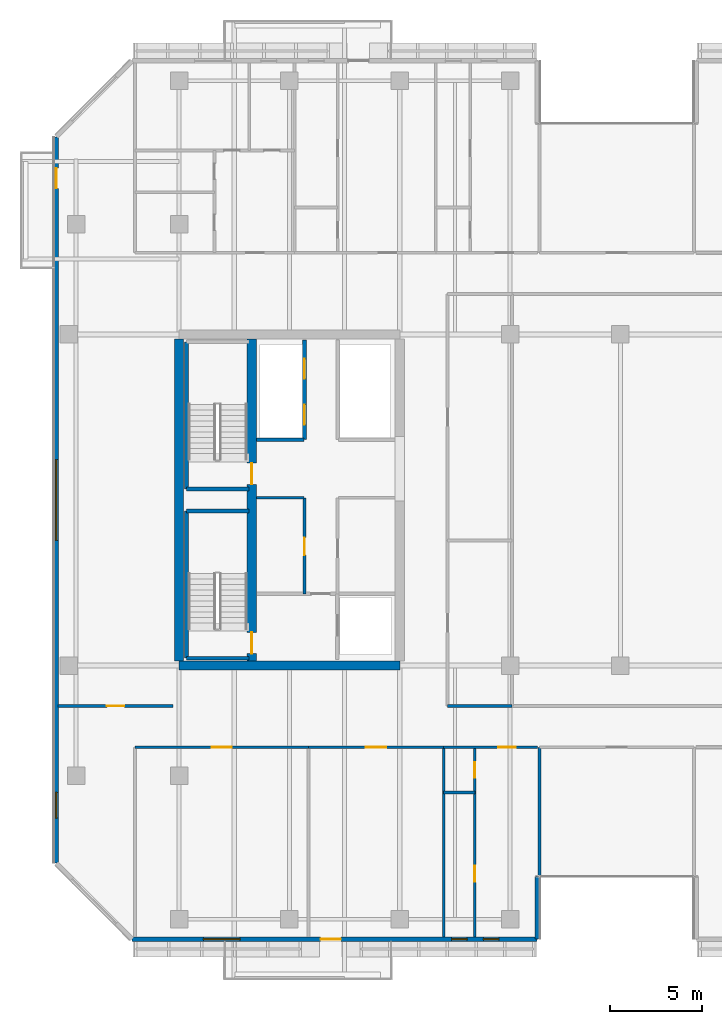
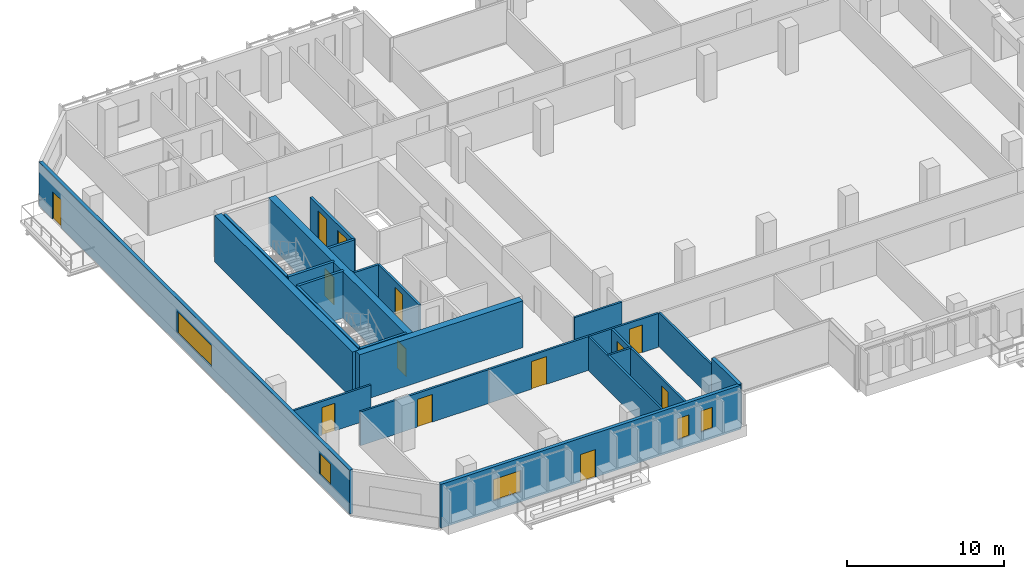
# One storey, part 10 of 22: 24 walls, 13 doors, 5 windows, 18 openings.
"""IFC4 building model written with IfcOpenShell, lengths in metres."""

from ifc_helpers import new_model, si_unit, direction, frame, frame_2d, origin, place, context, subcontext, project, spatial, rectangle, extrude, material, layer, layer_set, type_object, element, fill, save


model = new_model("IFC4")

# Units and contexts
model_context = context("Model", 3, precision=1e-05, world=origin(), true_north=direction((0.0, 1.0)))
body_context = subcontext(model_context, "Body", "Model", "MODEL_VIEW")
ifc_project = project(units=[si_unit("LENGTHUNIT", "METRE"), si_unit("AREAUNIT", "SQUARE_METRE"), si_unit("VOLUMEUNIT", "CUBIC_METRE"), si_unit("PLANEANGLEUNIT", "RADIAN"), si_unit("MASSUNIT", "GRAM", prefix="KILO")], contexts=[model_context])

# Site, building, storey
site_placement = place(None, origin())
site = spatial("IfcSite", under=ifc_project, at=site_placement, CompositionType="ELEMENT")
building_placement = place(site_placement, origin())
building = spatial("IfcBuilding", under=site, at=building_placement, Name="Tanjung Sevakor Pilgrim Tower", CompositionType="ELEMENT")
storey_placement = place(building_placement, frame((0.0, 0.0, 115.830078125)))
storey = spatial("IfcBuildingStorey", under=building, at=storey_placement, Name="L32", CompositionType="ELEMENT", Elevation=115.830078125)

# Walls
ifc_material_1 = material(Name="Concrete C60/75", Category="concrete")
ifc_layer_1 = layer(ifc_material_1, 0.5)
ifc_layer_set_1 = layer_set([ifc_layer_1], Name="WALL-CW-500")
wall_type_1 = type_object("IfcWallType", Name="WALL-CW-500", PredefinedType="SHEAR", material=ifc_layer_set_1)
wall_1_placement = place(storey_placement, frame((24.0, 24.60009765625, 0.0), z_axis=(0.0, 0.0, 1.0), x_axis=(1.0, 0.0, 0.0)))
element("IfcWall", 1, at=wall_1_placement, inside=storey, type_object=wall_type_1, Name="L32 W Core South Shear Wall", PredefinedType="SHEAR", context=body_context, shape_type="SweptSolid", body=[
    extrude(rectangle(XDim=12.0, YDim=0.5, at=frame_2d((6.0, 0.0))), origin(), (0.0, 0.0, 1.0), 3.6298828125),
])
wall_2_placement = place(storey_placement, frame((24.0, 24.85009765625, 0.0), z_axis=(0.0, 0.0, 1.0), x_axis=(0.0, 1.0, 0.0)))
element("IfcWall", 2, at=wall_2_placement, inside=storey, type_object=wall_type_1, Name="L32 W Core Outer Shear Wall", PredefinedType="SHEAR", context=body_context, shape_type="SweptSolid", body=[
    extrude(rectangle(XDim=17.5, YDim=0.5, at=frame_2d((8.75, 0.0))), origin(), (0.0, 0.0, 1.0), 3.6298828125),
])

# Wall, openings, doors
wall_3_placement = place(storey_placement, frame((27.949951171875, 24.85009765625, 0.0), z_axis=(0.0, 0.0, 1.0), x_axis=(0.0, 1.0, 0.0)))
wall_3 = element("IfcWall", 3, at=wall_3_placement, inside=storey, type_object=wall_type_1, Name="L32 W Core Stair Spine Wall", PredefinedType="SHEAR", context=body_context, shape_type="SweptSolid", body=[
    extrude(rectangle(XDim=17.5, YDim=0.5, at=frame_2d((8.75, 0.0))), origin(), (0.0, 0.0, 1.0), 3.6298828125),
])
opening_1_placement = place(wall_3_placement, frame((0.39990234375, 0.0, 0.0)))
opening_1 = element("IfcOpeningElement", 4, at=opening_1_placement, cuts=wall_3, Name="Opening ID-ST1", PredefinedType="OPENING", context=body_context, shape_type="SweptSolid", body=[
    extrude(rectangle(XDim=1.14990234375, YDim=2.14990234375, at=frame_2d((0.574951171875, 1.074951171875))), frame((0.0, 0.260009765625, 0.0), z_axis=(0.0, -1.0, 0.0), x_axis=(1.0, 0.0, 0.0)), (0.0, 0.0, 1.0), 0.52001953125),
])
opening_2_placement = place(wall_3_placement, frame((9.60009765625, 0.0, 0.0)))
opening_2 = element("IfcOpeningElement", 5, at=opening_2_placement, cuts=wall_3, Name="Opening ID-ST1", PredefinedType="OPENING", context=body_context, shape_type="SweptSolid", body=[
    extrude(rectangle(XDim=1.14990234375, YDim=2.14990234375, at=frame_2d((0.574951171875, 1.074951171875))), frame((0.0, 0.260009765625, 0.0), z_axis=(0.0, -1.0, 0.0), x_axis=(1.0, 0.0, 0.0)), (0.0, 0.0, 1.0), 0.52001953125),
])
ifc_material_2 = material(Name="Fire-Rated Steel S355J2", Category="steel")
door_type_1 = type_object("IfcDoorType", Name="DT-FIRE-1150", OperationType="NOTDEFINED", PredefinedType="DOOR", material=ifc_material_2)
door_1_placement = place(opening_1_placement, origin())
door_1 = element("IfcDoor", 6, at=door_1_placement, inside=storey, type_object=door_type_1, Name="L32 TS-W1 Stair Fire Door", OperationType="SINGLE_SWING_LEFT", OverallHeight=2.14990234375, OverallWidth=1.14990234375, PredefinedType="DOOR", context=body_context, shape_type="SweptSolid", body=[
    extrude(rectangle(XDim=1.14990234375, YDim=2.14990234375, at=frame_2d((0.574951171875, 1.074951171875))), frame((0.0, 0.02490234375, 0.0), z_axis=(0.0, -1.0, 0.0), x_axis=(1.0, 0.0, 0.0)), (0.0, 0.0, 1.0), 0.050048828125),
])
fill(opening_1, door_1)
door_2_placement = place(opening_2_placement, origin())
door_2 = element("IfcDoor", 7, at=door_2_placement, inside=storey, type_object=door_type_1, Name="L32 TS-W2 Stair Fire Door", OperationType="SINGLE_SWING_RIGHT", OverallHeight=2.14990234375, OverallWidth=1.14990234375, PredefinedType="DOOR", context=body_context, shape_type="SweptSolid", body=[
    extrude(rectangle(XDim=1.14990234375, YDim=2.14990234375, at=frame_2d((0.574951171875, 1.074951171875))), frame((0.0, 0.02490234375, 0.0), z_axis=(0.0, -1.0, 0.0), x_axis=(1.0, 0.0, 0.0)), (0.0, 0.0, 1.0), 0.050048828125),
])
fill(opening_2, door_2)

# Wall
ifc_material_3 = material(Name="Concrete C40/50", Category="concrete")
ifc_layer_2 = layer(ifc_material_3, 0.14990234375)
ifc_layer_set_2 = layer_set([ifc_layer_2], Name="WT-COMP-150")
wall_type_2 = type_object("IfcWallType", Name="WT-COMP-150", PredefinedType="SOLIDWALL", material=ifc_layer_set_2)
wall_4_placement = place(storey_placement, frame((28.219970703125, 33.719970703125, 0.0), z_axis=(0.0, 0.0, 1.0), x_axis=(1.0, 0.0, 0.0)))
element("IfcWall", 8, at=wall_4_placement, inside=storey, type_object=wall_type_2, Name="L32 Partition IW-L32-003", PredefinedType="SOLIDWALL", context=body_context, shape_type="SweptSolid", body=[
    extrude(rectangle(XDim=2.580078125, YDim=0.14990234375, at=frame_2d((1.2900390625, 0.0))), origin(), (0.0, 0.0, 1.0), 2.6298828125),
])

# Wall, opening, door
wall_5_placement = place(storey_placement, frame((30.820068359375, 28.5, 0.0), z_axis=(0.0, 0.0, 1.0), x_axis=(0.0, 1.0, 0.0)))
wall_5 = element("IfcWall", 9, at=wall_5_placement, inside=storey, type_object=wall_type_2, Name="L32 Partition IW-L32-004", PredefinedType="SOLIDWALL", context=body_context, shape_type="SweptSolid", body=[
    extrude(rectangle(XDim=5.219970703125, YDim=0.14990234375, at=frame_2d((2.60986328125, 0.0))), origin(), (0.0, 0.0, 1.0), 2.6298828125),
])
opening_3_placement = place(wall_5_placement, frame((2.10009765625, 0.0, 0.0)))
opening_3 = element("IfcOpeningElement", 10, at=opening_3_placement, cuts=wall_5, Name="Opening ID-FD2", PredefinedType="OPENING", context=body_context, shape_type="SweptSolid", body=[
    extrude(rectangle(XDim=0.949951171875, YDim=2.14990234375, at=frame_2d((0.47509765625, 1.074951171875))), frame((0.0, 0.0849609375, 0.0), z_axis=(0.0, -1.0, 0.0), x_axis=(1.0, 0.0, 0.0)), (0.0, 0.0, 1.0), 0.169921875),
])
ifc_material_4 = material(Name="Fire-Rated Timber", Category="wood")
door_type_2 = type_object("IfcDoorType", Name="DT-FIRE-950", OperationType="NOTDEFINED", PredefinedType="DOOR", material=ifc_material_4)
door_3_placement = place(opening_3_placement, origin())
door_3 = element("IfcDoor", 11, at=door_3_placement, inside=storey, type_object=door_type_2, Name="L32 Housekeeping Pantry Door", OperationType="SINGLE_SWING_RIGHT", OverallHeight=2.14990234375, OverallWidth=0.949951171875, PredefinedType="DOOR", context=body_context, shape_type="SweptSolid", body=[
    extrude(rectangle(XDim=0.949951171875, YDim=2.14990234375, at=frame_2d((0.47509765625, 1.074951171875))), frame((0.0, 0.02490234375, 0.0), z_axis=(0.0, -1.0, 0.0), x_axis=(1.0, 0.0, 0.0)), (0.0, 0.0, 1.0), 0.050048828125),
])
fill(opening_3, door_3)

# Wall
wall_6_placement = place(storey_placement, frame((38.60009765625, 22.39990234375, 0.0), z_axis=(0.0, 0.0, 1.0), x_axis=(1.0, 0.0, 0.0)))
element("IfcWall", 12, at=wall_6_placement, inside=storey, type_object=wall_type_2, Name="L32 Partition IW-L32-021", PredefinedType="SOLIDWALL", context=body_context, shape_type="SweptSolid", body=[
    extrude(rectangle(XDim=3.5, YDim=0.14990234375, at=frame_2d((1.75, 0.0))), origin(), (0.0, 0.0, 1.0), 2.6298828125),
])

# Wall, opening, door
wall_7_placement = place(storey_placement, frame((17.409912109375, 22.39990234375, 0.0), z_axis=(0.0, 0.0, 1.0), x_axis=(1.0, 0.0, 0.0)))
wall_7 = element("IfcWall", 13, at=wall_7_placement, inside=storey, type_object=wall_type_2, Name="L32 Partition IW-L32-035", PredefinedType="SOLIDWALL", context=body_context, shape_type="SweptSolid", body=[
    extrude(rectangle(XDim=6.27001953125, YDim=0.14990234375, at=frame_2d((3.135009765625, 0.0))), origin(), (0.0, 0.0, 1.0), 2.6298828125),
])
opening_4_placement = place(wall_7_placement, frame((2.659912109375, 0.0, 0.0)))
opening_4 = element("IfcOpeningElement", 14, at=opening_4_placement, cuts=wall_7, Name="Opening ID-FD2", PredefinedType="OPENING", context=body_context, shape_type="SweptSolid", body=[
    extrude(rectangle(XDim=0.949951171875, YDim=2.14990234375, at=frame_2d((0.47509765625, 1.074951171875))), frame((0.0, 0.0849609375, 0.0), z_axis=(0.0, -1.0, 0.0), x_axis=(1.0, 0.0, 0.0)), (0.0, 0.0, 1.0), 0.169921875),
])
door_4_placement = place(opening_4_placement, origin())
door_4 = element("IfcDoor", 15, at=door_4_placement, inside=storey, type_object=door_type_2, Name="Study Room Entrance", OperationType="SINGLE_SWING_LEFT", OverallHeight=2.14990234375, OverallWidth=0.949951171875, PredefinedType="DOOR", context=body_context, shape_type="SweptSolid", body=[
    extrude(rectangle(XDim=0.949951171875, YDim=2.14990234375, at=frame_2d((0.47509765625, 1.074951171875))), frame((0.0, 0.02490234375, 0.0), z_axis=(0.0, -1.0, 0.0), x_axis=(1.0, 0.0, 0.0)), (0.0, 0.0, 1.0), 0.050048828125),
])
fill(opening_4, door_4)

# Wall
wall_8_placement = place(storey_placement, frame((43.60009765625, 9.85009765625, 0.0), z_axis=(0.0, 0.0, 1.0), x_axis=(0.0, 1.0, 0.0)))
element("IfcWall", 16, at=wall_8_placement, inside=storey, type_object=wall_type_2, Name="L32 Partition IW-L32-044", PredefinedType="SOLIDWALL", context=body_context, shape_type="SweptSolid", body=[
    extrude(rectangle(XDim=10.2998046875, YDim=0.14990234375, at=frame_2d((5.14990234375, 0.0))), origin(), (0.0, 0.0, 1.0), 2.6298828125),
])

# Wall, opening, door
wall_9_placement = place(storey_placement, frame((21.60009765625, 20.14990234375, 0.0), z_axis=(0.0, 0.0, 1.0), x_axis=(1.0, 0.0, 0.0)))
wall_9 = element("IfcWall", 17, at=wall_9_placement, inside=storey, type_object=wall_type_2, Name="L32 Partition IW-L32-051", PredefinedType="SOLIDWALL", context=body_context, shape_type="SweptSolid", body=[
    extrude(rectangle(XDim=9.430908203125, YDim=0.14990234375, at=frame_2d((4.71533203125, 0.0))), origin(), (0.0, 0.0, 1.0), 2.6298828125),
])
opening_5_placement = place(wall_9_placement, frame((4.16552734375, 0.0, 0.0)))
opening_5 = element("IfcOpeningElement", 18, at=opening_5_placement, cuts=wall_9, Name="Opening ID-FD0", PredefinedType="OPENING", context=body_context, shape_type="SweptSolid", body=[
    extrude(rectangle(XDim=1.10009765625, YDim=2.14990234375, at=frame_2d((0.550048828125, 1.074951171875))), frame((0.0, 0.0849609375, 0.0), z_axis=(0.0, -1.0, 0.0), x_axis=(1.0, 0.0, 0.0)), (0.0, 0.0, 1.0), 0.169921875),
])
ifc_material_5 = material(Name="Fire-Rated Steel S355J2", Category="steel")
door_type_3 = type_object("IfcDoorType", Name="DT-FIRE-1100", OperationType="NOTDEFINED", PredefinedType="DOOR", material=ifc_material_5)
door_5_placement = place(opening_5_placement, origin())
door_5 = element("IfcDoor", 19, at=door_5_placement, inside=storey, type_object=door_type_3, Name="Communal Lounge Door", OperationType="SINGLE_SWING_LEFT", OverallHeight=2.14990234375, OverallWidth=1.10009765625, PredefinedType="DOOR", context=body_context, shape_type="SweptSolid", body=[
    extrude(rectangle(XDim=1.10009765625, YDim=2.14990234375, at=frame_2d((0.550048828125, 1.074951171875))), frame((0.0, 0.02490234375, 0.0), z_axis=(0.0, -1.0, 0.0), x_axis=(1.0, 0.0, 0.0)), (0.0, 0.0, 1.0), 0.050048828125),
])
fill(opening_5, door_5)

# Wall
wall_10_placement = place(storey_placement, frame((38.38720703125, 9.85009765625, 0.0), z_axis=(0.0, 0.0, 1.0), x_axis=(0.0, 1.0, 0.0)))
element("IfcWall", 20, at=wall_10_placement, inside=storey, type_object=wall_type_2, Name="L32 Partition IW-L32-052", PredefinedType="SOLIDWALL", context=body_context, shape_type="SweptSolid", body=[
    extrude(rectangle(XDim=10.2998046875, YDim=0.14990234375, at=frame_2d((5.14990234375, 0.0))), origin(), (0.0, 0.0, 1.0), 2.6298828125),
])

# Wall, opening, door
wall_11_placement = place(storey_placement, frame((31.031005859375, 20.14990234375, 0.0), z_axis=(0.0, 0.0, 1.0), x_axis=(1.0, 0.0, 0.0)))
wall_11 = element("IfcWall", 21, at=wall_11_placement, inside=storey, type_object=wall_type_2, Name="L32 Partition IW-L32-053", PredefinedType="SOLIDWALL", context=body_context, shape_type="SweptSolid", body=[
    extrude(rectangle(XDim=7.356201171875, YDim=0.14990234375, at=frame_2d((3.67822265625, 0.0))), origin(), (0.0, 0.0, 1.0), 2.6298828125),
])
opening_6_placement = place(wall_11_placement, frame((3.128173828125, 0.0, 0.0)))
opening_6 = element("IfcOpeningElement", 22, at=opening_6_placement, cuts=wall_11, Name="Opening ID-FD0", PredefinedType="OPENING", context=body_context, shape_type="SweptSolid", body=[
    extrude(rectangle(XDim=1.10009765625, YDim=2.14990234375, at=frame_2d((0.550048828125, 1.074951171875))), frame((0.0, 0.0849609375, 0.0), z_axis=(0.0, -1.0, 0.0), x_axis=(1.0, 0.0, 0.0)), (0.0, 0.0, 1.0), 0.169921875),
])
door_6_placement = place(opening_6_placement, origin())
door_6 = element("IfcDoor", 23, at=door_6_placement, inside=storey, type_object=door_type_3, Name="Council Room Door", OperationType="SINGLE_SWING_RIGHT", OverallHeight=2.14990234375, OverallWidth=1.10009765625, PredefinedType="DOOR", context=body_context, shape_type="SweptSolid", body=[
    extrude(rectangle(XDim=1.10009765625, YDim=2.14990234375, at=frame_2d((0.550048828125, 1.074951171875))), frame((0.0, 0.02490234375, 0.0), z_axis=(0.0, -1.0, 0.0), x_axis=(1.0, 0.0, 0.0)), (0.0, 0.0, 1.0), 0.050048828125),
])
fill(opening_6, door_6)

wall_12_placement = place(storey_placement, frame((38.38720703125, 20.14990234375, 0.0), z_axis=(0.0, 0.0, 1.0), x_axis=(1.0, 0.0, 0.0)))
wall_12 = element("IfcWall", 24, at=wall_12_placement, inside=storey, type_object=wall_type_2, Name="L32 Partition IW-L32-056", PredefinedType="SOLIDWALL", context=body_context, shape_type="SweptSolid", body=[
    extrude(rectangle(XDim=5.0927734375, YDim=0.14990234375, at=frame_2d((2.54638671875, 0.0))), origin(), (0.0, 0.0, 1.0), 2.6298828125),
])
opening_7_placement = place(wall_12_placement, frame((2.957763671875, 0.0, 0.0)))
opening_7 = element("IfcOpeningElement", 25, at=opening_7_placement, cuts=wall_12, Name="Opening ID-FD2", PredefinedType="OPENING", context=body_context, shape_type="SweptSolid", body=[
    extrude(rectangle(XDim=0.949951171875, YDim=2.14990234375, at=frame_2d((0.47509765625, 1.074951171875))), frame((0.0, 0.0849609375, 0.0), z_axis=(0.0, -1.0, 0.0), x_axis=(1.0, 0.0, 0.0)), (0.0, 0.0, 1.0), 0.169921875),
])
door_7_placement = place(opening_7_placement, origin())
door_7 = element("IfcDoor", 26, at=door_7_placement, inside=storey, type_object=door_type_2, Name="Hotel Guestroom Entrance", OperationType="SINGLE_SWING_LEFT", OverallHeight=2.14990234375, OverallWidth=0.949951171875, PredefinedType="DOOR", context=body_context, shape_type="SweptSolid", body=[
    extrude(rectangle(XDim=0.949951171875, YDim=2.14990234375, at=frame_2d((0.47509765625, 1.074951171875))), frame((0.0, 0.02490234375, 0.0), z_axis=(0.0, -1.0, 0.0), x_axis=(1.0, 0.0, 0.0)), (0.0, 0.0, 1.0), 0.050048828125),
])
fill(opening_7, door_7)

# Wall, openings, door, windows
ifc_material_6 = material(Name="Precast concrete C45/55", Category="concrete")
ifc_layer_3 = layer(ifc_material_6, 0.25)
ifc_layer_set_3 = layer_set([ifc_layer_3], Name="WT-EW-STN3")
wall_type_3 = type_object("IfcWallType", Name="WT-EW-STN3", PredefinedType="SOLIDWALL", material=ifc_layer_set_3)
wall_13_placement = place(storey_placement, frame((21.451904296875, 9.72509765625, 0.0), z_axis=(0.0, 0.0, 1.0), x_axis=(1.0, 0.0, 0.0)))
wall_13 = element("IfcWall", 27, at=wall_13_placement, inside=storey, type_object=wall_type_3, Name="L32 MAIN Exterior Wall 1", PredefinedType="SOLIDWALL", context=body_context, shape_type="SweptSolid", body=[
    extrude(rectangle(XDim=22.023193359375, YDim=0.25, at=frame_2d((11.01171875, 0.0))), origin(), (0.0, 0.0, 1.0), 3.409912109375),
])
opening_8_placement = place(wall_13_placement, frame((10.248291015625, 0.0, 0.0)))
opening_8 = element("IfcOpeningElement", 28, at=opening_8_placement, cuts=wall_13, Name="Opening ED-BAL-1100", PredefinedType="OPENING", context=body_context, shape_type="SweptSolid", body=[
    extrude(rectangle(XDim=1.10009765625, YDim=2.14990234375, at=frame_2d((0.550048828125, 1.074951171875))), frame((0.0, 0.135009765625, 0.0), z_axis=(0.0, -1.0, 0.0), x_axis=(1.0, 0.0, 0.0)), (0.0, 0.0, 1.0), 0.27001953125),
])
opening_9_placement = place(wall_13_placement, frame((3.86376953125, 0.0, 0.780029296875)))
opening_9 = element("IfcOpeningElement", 29, at=opening_9_placement, cuts=wall_13, Name="Opening WN-Z2-1660", PredefinedType="OPENING", context=body_context, shape_type="SweptSolid", body=[
    extrude(rectangle(XDim=2.0, YDim=1.659912109375, at=frame_2d((1.0, 0.830078125))), frame((0.0, 0.135009765625, 0.0), z_axis=(0.0, -1.0, 0.0), x_axis=(1.0, 0.0, 0.0)), (0.0, 0.0, 1.0), 0.27001953125),
])
opening_10_placement = place(wall_13_placement, frame((17.36669921875, 0.0, 0.780029296875)))
opening_10 = element("IfcOpeningElement", 30, at=opening_10_placement, cuts=wall_13, Name="Opening WN-SLM", PredefinedType="OPENING", context=body_context, shape_type="SweptSolid", body=[
    extrude(rectangle(XDim=0.85009765625, YDim=1.64990234375, at=frame_2d((0.425048828125, 0.824951171875))), frame((0.0, 0.135009765625, 0.0), z_axis=(0.0, -1.0, 0.0), x_axis=(1.0, 0.0, 0.0)), (0.0, 0.0, 1.0), 0.27001953125),
])
opening_11_placement = place(wall_13_placement, frame((19.09326171875, 0.0, 0.780029296875)))
opening_11 = element("IfcOpeningElement", 31, at=opening_11_placement, cuts=wall_13, Name="Opening WN-SLM", PredefinedType="OPENING", context=body_context, shape_type="SweptSolid", body=[
    extrude(rectangle(XDim=0.85009765625, YDim=1.64990234375, at=frame_2d((0.425048828125, 0.824951171875))), frame((0.0, 0.135009765625, 0.0), z_axis=(0.0, -1.0, 0.0), x_axis=(1.0, 0.0, 0.0)), (0.0, 0.0, 1.0), 0.27001953125),
])
ifc_material_7 = material(Name="Anodised Aluminium and Laminated Glass", Category="aluminium")
door_type_4 = type_object("IfcDoorType", Name="DTYP-ED-BAL-1100", OperationType="NOTDEFINED", PredefinedType="DOOR", material=ifc_material_7)
door_8_placement = place(opening_8_placement, frame((1.10009765625, 0.0, 0.0), z_axis=(0.0, 0.0, 1.0), x_axis=(-1.0, 0.0, 0.0)))
door_8 = element("IfcDoor", 32, at=door_8_placement, inside=storey, type_object=door_type_4, Name="L32 Balcony Door MAIN-S1", OperationType="SINGLE_SWING_RIGHT", OverallHeight=2.14990234375, OverallWidth=1.10009765625, PredefinedType="DOOR", context=body_context, shape_type="SweptSolid", body=[
    extrude(rectangle(XDim=1.10009765625, YDim=2.14990234375, at=frame_2d((0.550048828125, 1.074951171875))), frame((0.0, 0.02490234375, 0.0), z_axis=(0.0, -1.0, 0.0), x_axis=(1.0, 0.0, 0.0)), (0.0, 0.0, 1.0), 0.050048828125),
])
fill(opening_8, door_8)
ifc_material_8 = material(Name="Thermally Broken Aluminium and Low-E Glass", Category="aluminium")
window_type_1 = type_object("IfcWindowType", Name="WTYP-WN-SLM", PartitioningType="SINGLE_PANEL", PredefinedType="WINDOW", material=ifc_material_8)
window_1_placement = place(opening_10_placement, origin())
window_1 = element("IfcWindow", 33, at=window_1_placement, inside=storey, type_object=window_type_1, Name="L32 Facade Window 02", OverallHeight=1.64990234375, OverallWidth=0.85009765625, PartitioningType="SINGLE_PANEL", PredefinedType="WINDOW", context=body_context, shape_type="SweptSolid", body=[
    extrude(rectangle(XDim=0.85009765625, YDim=1.64990234375, at=frame_2d((0.425048828125, 0.824951171875))), frame((0.0, 0.030029296875, 0.0), z_axis=(0.0, -1.0, 0.0), x_axis=(1.0, 0.0, 0.0)), (0.0, 0.0, 1.0), 0.06005859375),
])
fill(opening_10, window_1)
window_2_placement = place(opening_11_placement, origin())
window_2 = element("IfcWindow", 34, at=window_2_placement, inside=storey, type_object=window_type_1, Name="L32 Facade Window 03", OverallHeight=1.64990234375, OverallWidth=0.85009765625, PartitioningType="SINGLE_PANEL", PredefinedType="WINDOW", context=body_context, shape_type="SweptSolid", body=[
    extrude(rectangle(XDim=0.85009765625, YDim=1.64990234375, at=frame_2d((0.425048828125, 0.824951171875))), frame((0.0, 0.030029296875, 0.0), z_axis=(0.0, -1.0, 0.0), x_axis=(1.0, 0.0, 0.0)), (0.0, 0.0, 1.0), 0.06005859375),
])
fill(opening_11, window_2)
ifc_material_9 = material(Name="Thermally Broken Aluminium and Low-E Glass", Category="aluminium")
window_type_2 = type_object("IfcWindowType", Name="WTYP-WN-Z2-1660", PartitioningType="DOUBLE_PANEL_VERTICAL", PredefinedType="WINDOW", material=ifc_material_9)
window_3_placement = place(opening_9_placement, origin())
window_3 = element("IfcWindow", 35, at=window_3_placement, inside=storey, type_object=window_type_2, Name="L32 Facade Window 01", OverallHeight=1.659912109375, OverallWidth=2.0, PartitioningType="SINGLE_PANEL", PredefinedType="WINDOW", context=body_context, shape_type="SweptSolid", body=[
    extrude(rectangle(XDim=2.0, YDim=1.659912109375, at=frame_2d((1.0, 0.830078125))), frame((0.0, 0.030029296875, 0.0), z_axis=(0.0, -1.0, 0.0), x_axis=(1.0, 0.0, 0.0)), (0.0, 0.0, 1.0), 0.06005859375),
])
fill(opening_9, window_3)

# Wall
wall_14_placement = place(storey_placement, frame((43.47509765625, 9.72509765625, 0.0), z_axis=(0.0, 0.0, 1.0), x_axis=(0.0, 1.0, 0.0)))
element("IfcWall", 36, at=wall_14_placement, inside=storey, type_object=wall_type_3, Name="L32 MAIN Exterior Wall 2", PredefinedType="SOLIDWALL", context=body_context, shape_type="SweptSolid", body=[
    extrude(rectangle(XDim=3.39990234375, YDim=0.25, at=frame_2d((1.699951171875, 0.0))), origin(), (0.0, 0.0, 1.0), 3.409912109375),
])

# Wall, openings, door, windows
wall_15_placement = place(storey_placement, frame((17.324951171875, 53.34814453125, 0.0), z_axis=(0.0, 0.0, 1.0), x_axis=(0.0, -1.0, 0.0)))
wall_15 = element("IfcWall", 37, at=wall_15_placement, inside=storey, type_object=wall_type_3, Name="L32 MAIN Exterior Wall 15", PredefinedType="SOLIDWALL", context=body_context, shape_type="SweptSolid", body=[
    extrude(rectangle(XDim=39.496337890625, YDim=0.25, at=frame_2d((19.748046875, 0.0))), origin(), (0.0, 0.0, 1.0), 3.409912109375),
])
opening_12_placement = place(wall_15_placement, frame((1.6982421875, 0.0, 0.0)))
opening_12 = element("IfcOpeningElement", 38, at=opening_12_placement, cuts=wall_15, Name="Opening ED-BAL-1100", PredefinedType="OPENING", context=body_context, shape_type="SweptSolid", body=[
    extrude(rectangle(XDim=1.10009765625, YDim=2.14990234375, at=frame_2d((0.550048828125, 1.074951171875))), frame((0.0, 0.135009765625, 0.0), z_axis=(0.0, -1.0, 0.0), x_axis=(1.0, 0.0, 0.0)), (0.0, 0.0, 1.0), 0.27001953125),
])
opening_13_placement = place(wall_15_placement, frame((17.548095703125, 0.0, 0.780029296875)))
opening_13 = element("IfcOpeningElement", 39, at=opening_13_placement, cuts=wall_15, Name="Opening WN-ENDW-1660", PredefinedType="OPENING", context=body_context, shape_type="SweptSolid", body=[
    extrude(rectangle(XDim=4.39990234375, YDim=1.659912109375, at=frame_2d((2.199951171875, 0.830078125))), frame((0.0, 0.135009765625, 0.0), z_axis=(0.0, -1.0, 0.0), x_axis=(1.0, 0.0, 0.0)), (0.0, 0.0, 1.0), 0.27001953125),
])
opening_14_placement = place(wall_15_placement, frame((35.642333984375, 0.0, 0.780029296875)))
opening_14 = element("IfcOpeningElement", 40, at=opening_14_placement, cuts=wall_15, Name="Opening WN-END", PredefinedType="OPENING", context=body_context, shape_type="SweptSolid", body=[
    extrude(rectangle(XDim=1.39990234375, YDim=1.64990234375, at=frame_2d((0.699951171875, 0.824951171875))), frame((0.0, 0.135009765625, 0.0), z_axis=(0.0, -1.0, 0.0), x_axis=(1.0, 0.0, 0.0)), (0.0, 0.0, 1.0), 0.27001953125),
])
door_9_placement = place(opening_12_placement, frame((1.10009765625, 0.0, 0.0), z_axis=(0.0, 0.0, 1.0), x_axis=(-1.0, 0.0, 0.0)))
door_9 = element("IfcDoor", 41, at=door_9_placement, inside=storey, type_object=door_type_4, Name="L32 West Loggia Door MAIN-W1", OperationType="SINGLE_SWING_LEFT", OverallHeight=2.14990234375, OverallWidth=1.10009765625, PredefinedType="DOOR", context=body_context, shape_type="SweptSolid", body=[
    extrude(rectangle(XDim=1.10009765625, YDim=2.14990234375, at=frame_2d((0.550048828125, 1.074951171875))), frame((0.0, 0.02490234375, 0.0), z_axis=(0.0, -1.0, 0.0), x_axis=(1.0, 0.0, 0.0)), (0.0, 0.0, 1.0), 0.050048828125),
])
fill(opening_12, door_9)
ifc_material_10 = material(Name="Thermally Broken Aluminium and Low-E Glass", Category="aluminium")
window_type_3 = type_object("IfcWindowType", Name="WTYP-WN-END", PartitioningType="SINGLE_PANEL", PredefinedType="WINDOW", material=ifc_material_10)
window_4_placement = place(opening_14_placement, origin())
window_4 = element("IfcWindow", 42, at=window_4_placement, inside=storey, type_object=window_type_3, Name="L32 Facade Window 02", OverallHeight=1.64990234375, OverallWidth=1.39990234375, PartitioningType="SINGLE_PANEL", PredefinedType="WINDOW", context=body_context, shape_type="SweptSolid", body=[
    extrude(rectangle(XDim=1.39990234375, YDim=1.64990234375, at=frame_2d((0.699951171875, 0.824951171875))), frame((0.0, 0.030029296875, 0.0), z_axis=(0.0, -1.0, 0.0), x_axis=(1.0, 0.0, 0.0)), (0.0, 0.0, 1.0), 0.06005859375),
])
fill(opening_14, window_4)
ifc_material_11 = material(Name="Thermally Broken Aluminium and Low-E Glass", Category="aluminium")
window_type_4 = type_object("IfcWindowType", Name="WTYP-WN-ENDW-1660", PartitioningType="DOUBLE_PANEL_VERTICAL", PredefinedType="WINDOW", material=ifc_material_11)
window_5_placement = place(opening_13_placement, origin())
window_5 = element("IfcWindow", 43, at=window_5_placement, inside=storey, type_object=window_type_4, Name="L32 Facade Window 01", OverallHeight=1.659912109375, OverallWidth=4.39990234375, PartitioningType="SINGLE_PANEL", PredefinedType="WINDOW", context=body_context, shape_type="SweptSolid", body=[
    extrude(rectangle(XDim=4.39990234375, YDim=1.659912109375, at=frame_2d((2.199951171875, 0.830078125))), frame((0.0, 0.030029296875, 0.0), z_axis=(0.0, -1.0, 0.0), x_axis=(1.0, 0.0, 0.0)), (0.0, 0.0, 1.0), 0.06005859375),
])
fill(opening_13, window_5)

# Walls
ifc_material_12 = material(Name="Concrete C40/50", Category="concrete")
ifc_layer_4 = layer(ifc_material_12, 0.199951171875)
ifc_layer_set_4 = layer_set([ifc_layer_4], Name="WT-FIRE-200")
wall_type_4 = type_object("IfcWallType", Name="WT-FIRE-200", PredefinedType="SOLIDWALL", material=ifc_layer_set_4)
for number, where, z_axis, x_axis, name in (
    (44, (24.39990234375, 25.0, 0.0), (0.0, 0.0, 1.0), (1.0, 0.0, 0.0), "L32 TS-W1 Shaft Wall 1"),
    (45, (27.800048828125, 33.0, 0.0), (0.0, 0.0, 1.0), (-1.0, 0.0, 0.0), "L32 TS-W1 Shaft Wall 2"),
):
    element("IfcWall", number, at=place(storey_placement, frame(where, z_axis=z_axis, x_axis=x_axis)), inside=storey, type_object=wall_type_4, Name=name, PredefinedType="SOLIDWALL", context=body_context, shape_type="SweptSolid", body=[
        extrude(rectangle(XDim=3.400146484375, YDim=0.199951171875, at=frame_2d((1.7001953125, 0.0))), origin(), (0.0, 0.0, 1.0), 3.6298828125),
    ])
wall_16_placement = place(storey_placement, frame((24.39990234375, 33.0, 0.0), z_axis=(0.0, 0.0, 1.0), x_axis=(0.0, -1.0, 0.0)))
element("IfcWall", 46, at=wall_16_placement, inside=storey, type_object=wall_type_4, Name="L32 TS-W1 Shaft Wall 3", PredefinedType="SOLIDWALL", context=body_context, shape_type="SweptSolid", body=[
    extrude(rectangle(XDim=8.0, YDim=0.199951171875, at=frame_2d((4.0, 0.0))), origin(), (0.0, 0.0, 1.0), 3.6298828125),
])
wall_17_placement = place(storey_placement, frame((24.39990234375, 34.199951171875, 0.0), z_axis=(0.0, 0.0, 1.0), x_axis=(1.0, 0.0, 0.0)))
element("IfcWall", 47, at=wall_17_placement, inside=storey, type_object=wall_type_4, Name="L32 TS-W2 Shaft Wall 1", PredefinedType="SOLIDWALL", context=body_context, shape_type="SweptSolid", body=[
    extrude(rectangle(XDim=3.400146484375, YDim=0.199951171875, at=frame_2d((1.7001953125, 0.0))), origin(), (0.0, 0.0, 1.0), 3.6298828125),
])
wall_18_placement = place(storey_placement, frame((24.39990234375, 42.199951171875, 0.0), z_axis=(0.0, 0.0, 1.0), x_axis=(0.0, -1.0, 0.0)))
element("IfcWall", 48, at=wall_18_placement, inside=storey, type_object=wall_type_4, Name="L32 TS-W2 Shaft Wall 3", PredefinedType="SOLIDWALL", context=body_context, shape_type="SweptSolid", body=[
    extrude(rectangle(XDim=8.0, YDim=0.199951171875, at=frame_2d((4.0, 0.0))), origin(), (0.0, 0.0, 1.0), 3.6298828125),
])
ifc_material_13 = material(Name="Concrete C40/50", Category="concrete")
ifc_layer_5 = layer(ifc_material_13, 0.199951171875)
ifc_layer_set_5 = layer_set([ifc_layer_5], Name="WT-FPRT-200")
wall_type_5 = type_object("IfcWallType", Name="WT-FPRT-200", PredefinedType="SOLIDWALL", material=ifc_layer_set_5)
wall_19_placement = place(storey_placement, frame((28.219970703125, 36.8798828125, 0.0), z_axis=(0.0, 0.0, 1.0), x_axis=(1.0, 0.0, 0.0)))
element("IfcWall", 49, at=wall_19_placement, inside=storey, type_object=wall_type_5, Name="L32 Partition IW-L32-007", PredefinedType="SOLIDWALL", context=body_context, shape_type="SweptSolid", body=[
    extrude(rectangle(XDim=2.580078125, YDim=0.199951171875, at=frame_2d((1.2900390625, 0.0))), origin(), (0.0, 0.0, 1.0), 2.6298828125),
])

# Wall, openings, doors
wall_20_placement = place(storey_placement, frame((30.820068359375, 36.8798828125, 0.0), z_axis=(0.0, 0.0, 1.0), x_axis=(0.0, 1.0, 0.0)))
wall_20 = element("IfcWall", 50, at=wall_20_placement, inside=storey, type_object=wall_type_5, Name="L32 Partition IW-L32-008", PredefinedType="SOLIDWALL", context=body_context, shape_type="SweptSolid", body=[
    extrude(rectangle(XDim=5.420166015625, YDim=0.199951171875, at=frame_2d((2.7099609375, 0.0))), origin(), (0.0, 0.0, 1.0), 2.6298828125),
])
opening_15_placement = place(wall_20_placement, frame((0.800048828125, 0.0, 0.0)))
opening_15 = element("IfcOpeningElement", 51, at=opening_15_placement, cuts=wall_20, Name="Opening LD-1100", PredefinedType="OPENING", context=body_context, shape_type="SweptSolid", body=[
    extrude(rectangle(XDim=1.10009765625, YDim=2.199951171875, at=frame_2d((0.550048828125, 1.10009765625))), frame((0.0, 0.10986328125, 0.0), z_axis=(0.0, -1.0, 0.0), x_axis=(1.0, 0.0, 0.0)), (0.0, 0.0, 1.0), 0.219970703125),
])
opening_16_placement = place(wall_20_placement, frame((3.300048828125, 0.0, 0.0)))
opening_16 = element("IfcOpeningElement", 52, at=opening_16_placement, cuts=wall_20, Name="Opening LD-1100", PredefinedType="OPENING", context=body_context, shape_type="SweptSolid", body=[
    extrude(rectangle(XDim=1.10009765625, YDim=2.199951171875, at=frame_2d((0.550048828125, 1.10009765625))), frame((0.0, 0.10986328125, 0.0), z_axis=(0.0, -1.0, 0.0), x_axis=(1.0, 0.0, 0.0)), (0.0, 0.0, 1.0), 0.219970703125),
])
ifc_material_14 = material(Name="Brushed Stainless Steel S355J2", Category="steel")
door_type_5 = type_object("IfcDoorType", Name="DT-LIFT-1100", OperationType="SLIDING_TO_LEFT", PredefinedType="DOOR", material=ifc_material_14)
door_10_placement = place(opening_15_placement, origin())
door_10 = element("IfcDoor", 53, at=door_10_placement, inside=storey, type_object=door_type_5, Name="LD-PLM1-W", OperationType="SLIDING_TO_LEFT", OverallHeight=2.199951171875, OverallWidth=1.10009765625, PredefinedType="DOOR", context=body_context, shape_type="SweptSolid", body=[
    extrude(rectangle(XDim=1.10009765625, YDim=2.199951171875, at=frame_2d((0.550048828125, 1.10009765625))), frame((0.0, 0.02490234375, 0.0), z_axis=(0.0, -1.0, 0.0), x_axis=(1.0, 0.0, 0.0)), (0.0, 0.0, 1.0), 0.050048828125),
])
fill(opening_15, door_10)
door_11_placement = place(opening_16_placement, origin())
door_11 = element("IfcDoor", 54, at=door_11_placement, inside=storey, type_object=door_type_5, Name="LD-PLM2-W", OperationType="SLIDING_TO_RIGHT", OverallHeight=2.199951171875, OverallWidth=1.10009765625, PredefinedType="DOOR", context=body_context, shape_type="SweptSolid", body=[
    extrude(rectangle(XDim=1.10009765625, YDim=2.199951171875, at=frame_2d((0.550048828125, 1.10009765625))), frame((0.0, 0.02490234375, 0.0), z_axis=(0.0, -1.0, 0.0), x_axis=(1.0, 0.0, 0.0)), (0.0, 0.0, 1.0), 0.050048828125),
])
fill(opening_16, door_11)

# Wall
ifc_material_15 = material(Name="Gypsum Board Partition", Category="gypsum board")
ifc_layer_6 = layer(ifc_material_15, 0.14990234375)
ifc_layer_set_6 = layer_set([ifc_layer_6], Name="WT-PART-150")
wall_type_6 = type_object("IfcWallType", Name="WT-PART-150", PredefinedType="PARTITIONING", material=ifc_layer_set_6)
wall_21_placement = place(storey_placement, frame((38.38720703125, 17.699951171875, 0.0), z_axis=(0.0, 0.0, 1.0), x_axis=(1.0, 0.0, 0.0)))
element("IfcWall", 55, at=wall_21_placement, inside=storey, type_object=wall_type_6, Name="L32 Partition IW-L32-054", PredefinedType="PARTITIONING", context=body_context, shape_type="SweptSolid", body=[
    extrude(rectangle(XDim=1.69287109375, YDim=0.14990234375, at=frame_2d((0.846435546875, 0.0))), origin(), (0.0, 0.0, 1.0), 2.6298828125),
])

# Wall, openings, doors
wall_22_placement = place(storey_placement, frame((40.080078125, 9.85009765625, 0.0), z_axis=(0.0, 0.0, 1.0), x_axis=(0.0, 1.0, 0.0)))
wall_22 = element("IfcWall", 56, at=wall_22_placement, inside=storey, type_object=wall_type_6, Name="L32 Partition IW-L32-055", PredefinedType="PARTITIONING", context=body_context, shape_type="SweptSolid", body=[
    extrude(rectangle(XDim=10.2998046875, YDim=0.14990234375, at=frame_2d((5.14990234375, 0.0))), origin(), (0.0, 0.0, 1.0), 2.6298828125),
])
opening_17_placement = place(wall_22_placement, frame((3.0, 0.0, 0.0)))
opening_17 = element("IfcOpeningElement", 57, at=opening_17_placement, cuts=wall_22, Name="Opening ID-WC1", PredefinedType="OPENING", context=body_context, shape_type="SweptSolid", body=[
    extrude(rectangle(XDim=0.85009765625, YDim=2.10009765625, at=frame_2d((0.425048828125, 1.050048828125))), frame((0.0, 0.0849609375, 0.0), z_axis=(0.0, -1.0, 0.0), x_axis=(1.0, 0.0, 0.0)), (0.0, 0.0, 1.0), 0.169921875),
])
opening_18_placement = place(wall_22_placement, frame((8.64990234375, 0.0, 0.0)))
opening_18 = element("IfcOpeningElement", 58, at=opening_18_placement, cuts=wall_22, Name="Opening ID-WC1", PredefinedType="OPENING", context=body_context, shape_type="SweptSolid", body=[
    extrude(rectangle(XDim=0.85009765625, YDim=2.10009765625, at=frame_2d((0.425048828125, 1.050048828125))), frame((0.0, 0.0849609375, 0.0), z_axis=(0.0, -1.0, 0.0), x_axis=(1.0, 0.0, 0.0)), (0.0, 0.0, 1.0), 0.169921875),
])
ifc_material_16 = material(Name="Moisture-Resistant Timber", Category="wood")
door_type_6 = type_object("IfcDoorType", Name="DT-INT-850", OperationType="NOTDEFINED", PredefinedType="DOOR", material=ifc_material_16)
door_12_placement = place(opening_17_placement, origin())
door_12 = element("IfcDoor", 59, at=door_12_placement, inside=storey, type_object=door_type_6, Name="Study Nook Door", OperationType="SINGLE_SWING_LEFT", OverallHeight=2.10009765625, OverallWidth=0.85009765625, PredefinedType="DOOR", context=body_context, shape_type="SweptSolid", body=[
    extrude(rectangle(XDim=0.85009765625, YDim=2.10009765625, at=frame_2d((0.425048828125, 1.050048828125))), frame((0.0, 0.02490234375, 0.0), z_axis=(0.0, -1.0, 0.0), x_axis=(1.0, 0.0, 0.0)), (0.0, 0.0, 1.0), 0.050048828125),
])
fill(opening_17, door_12)
door_13_placement = place(opening_18_placement, origin())
door_13 = element("IfcDoor", 60, at=door_13_placement, inside=storey, type_object=door_type_6, Name="Bathroom Door", OperationType="SINGLE_SWING_RIGHT", OverallHeight=2.10009765625, OverallWidth=0.85009765625, PredefinedType="DOOR", context=body_context, shape_type="SweptSolid", body=[
    extrude(rectangle(XDim=0.85009765625, YDim=2.10009765625, at=frame_2d((0.425048828125, 1.050048828125))), frame((0.0, 0.02490234375, 0.0), z_axis=(0.0, -1.0, 0.0), x_axis=(1.0, 0.0, 0.0)), (0.0, 0.0, 1.0), 0.050048828125),
])
fill(opening_18, door_13)

save(model, "model.ifc")
